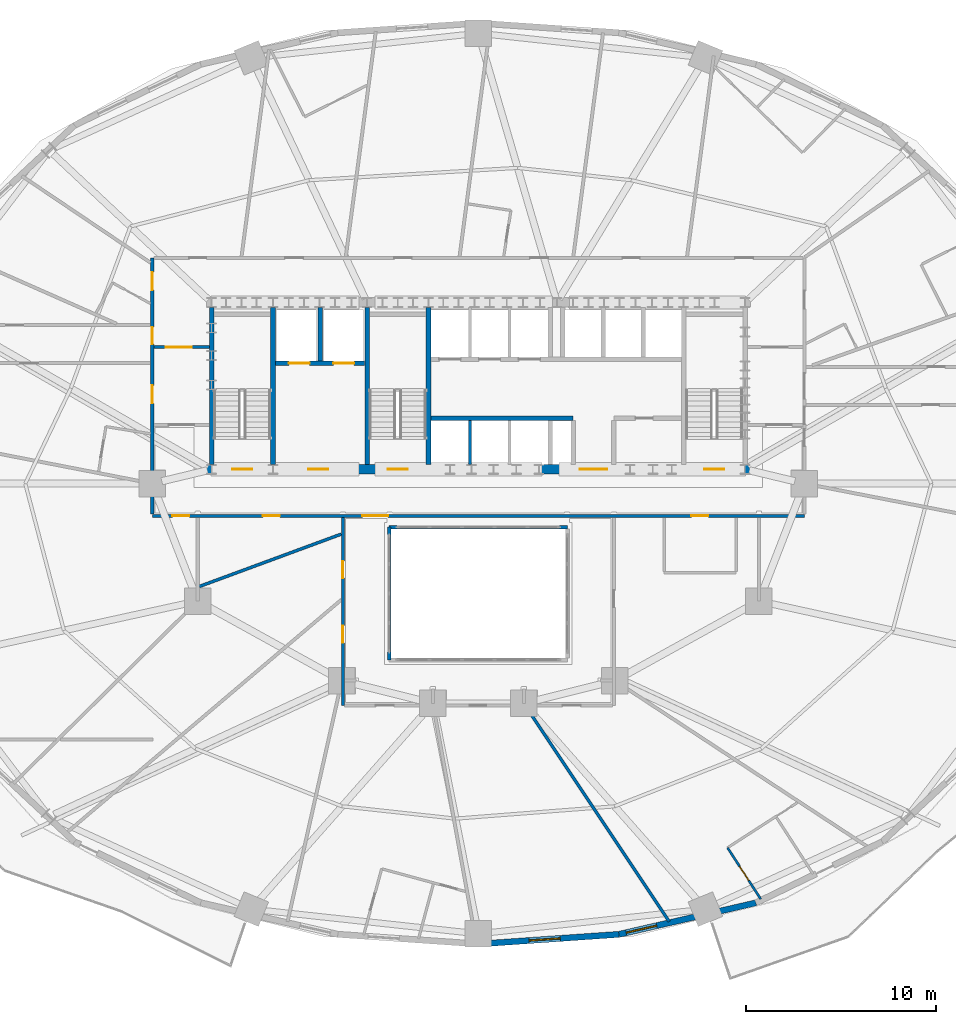
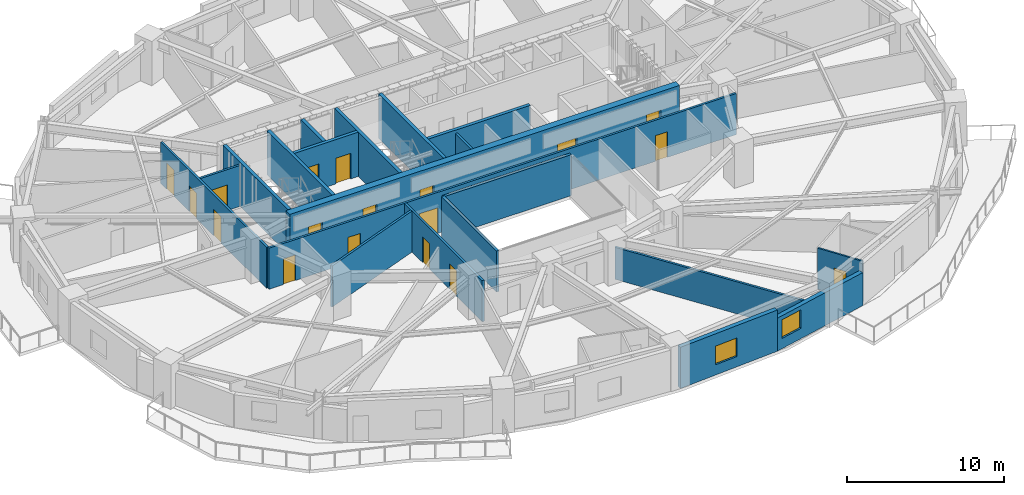
# One storey, part 10 of 17: 20 walls, 18 doors, 2 windows, 20 openings.
"""IFC4 building model written with IfcOpenShell, lengths in metres."""

from ifc_helpers import new_model, si_unit, direction, frame, frame_2d, origin, place, context, subcontext, project, spatial, rectangle, extrude, material, layer, layer_set, type_object, element, fill, save


model = new_model("IFC4")

# Units and contexts
model_context = context("Model", 3, precision=1e-05, world=origin(), true_north=direction((0.0, 1.0)))
body_context = subcontext(model_context, "Body", "Model", "MODEL_VIEW")
ifc_project = project(units=[si_unit("LENGTHUNIT", "METRE"), si_unit("AREAUNIT", "SQUARE_METRE"), si_unit("VOLUMEUNIT", "CUBIC_METRE"), si_unit("PLANEANGLEUNIT", "RADIAN"), si_unit("MASSUNIT", "GRAM", prefix="KILO")], contexts=[model_context])

# Site, building, storey
site_placement = place(None, origin())
site = spatial("IfcSite", under=ifc_project, at=site_placement, CompositionType="ELEMENT")
building_placement = place(site_placement, origin())
building = spatial("IfcBuilding", under=site, at=building_placement, Name="Haldorwick Loom Tower", CompositionType="ELEMENT")
storey_placement = place(building_placement, frame((0.0, 0.0, 55.050048828125)))
storey = spatial("IfcBuildingStorey", under=building, at=storey_placement, Name="L14", CompositionType="ELEMENT", Elevation=55.050048828125)

# Wall, opening, window
ifc_material_1 = material(Name="Pressed Clay Face Brick and Insulated Masonry Backup Assembly", Category="masonry")
ifc_layer_1 = layer(ifc_material_1, 0.320068359375, Name="Pressed Clay Face Brick and Insulated Masonry Backup Assembly", Category="masonry")
ifc_layer_set_1 = layer_set([ifc_layer_1], Name="Pressed Clay Face Brick and Insulated Masonry Backup Assembly")
wall_type_1 = type_object("IfcWallType", Name="ARC-WL-EXT320", PredefinedType="STANDARD", material=ifc_layer_set_1)
wall_1_placement = place(storey_placement, frame((36.0, 1.7099609375, 0.0), z_axis=(0.0, 0.0, 1.0), x_axis=(0.997645161917, 0.068586667092, 0.0)))
wall_1 = element("IfcWall", 1, at=wall_1_placement, inside=storey, type_object=wall_type_1, Name="L14 Brick Pier and Spandrel Wall 19", PredefinedType="STANDARD", context=body_context, shape_type="SweptSolid", body=[
    extrude(rectangle(XDim=7.428955078125, YDim=0.320068359375, at=frame_2d((3.71435546875, 0.0))), origin(), (0.0, 0.0, 1.0), 3.2099609375),
])
opening_1_placement = place(wall_1_placement, frame((2.679443359375, 0.0, 0.800048828125)))
opening_1 = element("IfcOpeningElement", 2, at=opening_1_placement, cuts=wall_1, Name="Opening W-01B", PredefinedType="OPENING", context=body_context, shape_type="SweptSolid", body=[
    extrude(rectangle(XDim=1.64990234375, YDim=1.449951171875, at=frame_2d((0.824951171875, 0.72509765625))), frame((0.0, 0.169921875, 0.0), z_axis=(0.0, -1.0, 0.0), x_axis=(1.0, 0.0, 0.0)), (0.0, 0.0, 1.0), 0.340087890625),
])
ifc_material_2 = material(Name="Triple-Glazed Low-E Argon Insulated Glazing Unit", Category="glass")
window_type = type_object("IfcWindowType", Name="ARC-WIN-W165", PartitioningType="SINGLE_PANEL", PredefinedType="WINDOW", material=ifc_material_2)
window_1_placement = place(opening_1_placement, origin())
window_1 = element("IfcWindow", 3, at=window_1_placement, inside=storey, type_object=window_type, Name="L14 Deep-Set Zone 7A Window 19", OverallHeight=1.449951171875, OverallWidth=1.64990234375, PartitioningType="SINGLE_PANEL", PredefinedType="WINDOW", context=body_context, shape_type="SweptSolid", body=[
    extrude(rectangle(XDim=1.64990234375, YDim=1.449951171875, at=frame_2d((0.824951171875, 0.72509765625))), frame((0.0, 0.030029296875, 0.0), z_axis=(0.0, -1.0, 0.0), x_axis=(1.0, 0.0, 0.0)), (0.0, 0.0, 1.0), 0.06005859375),
])
fill(opening_1, window_1)

wall_2_placement = place(storey_placement, frame((43.411376953125, 2.219482421875, 0.0), z_axis=(0.0, 0.0, 1.0), x_axis=(0.974522412345, 0.224290142088, 0.0)))
wall_2 = element("IfcWall", 4, at=wall_2_placement, inside=storey, type_object=wall_type_1, Name="L14 Brick Pier and Spandrel Wall 20", PredefinedType="STANDARD", context=body_context, shape_type="SweptSolid", body=[
    extrude(rectangle(XDim=7.422607421875, YDim=0.320068359375, at=frame_2d((3.71142578125, 0.0))), origin(), (0.0, 0.0, 1.0), 2.56884765625),
])
opening_2_placement = place(wall_2_placement, frame((0.39990234375, 0.0, 0.800048828125)))
opening_2 = element("IfcOpeningElement", 5, at=opening_2_placement, cuts=wall_2, Name="Opening W-01B", PredefinedType="OPENING", context=body_context, shape_type="SweptSolid", body=[
    extrude(rectangle(XDim=1.64990234375, YDim=1.449951171875, at=frame_2d((0.824951171875, 0.72509765625))), frame((0.0, 0.169921875, 0.0), z_axis=(0.0, -1.0, 0.0), x_axis=(1.0, 0.0, 0.0)), (0.0, 0.0, 1.0), 0.340087890625),
])
window_2_placement = place(opening_2_placement, origin())
window_2 = element("IfcWindow", 6, at=window_2_placement, inside=storey, type_object=window_type, Name="L14 Deep-Set Zone 7A Window 20", OverallHeight=1.449951171875, OverallWidth=1.64990234375, PartitioningType="SINGLE_PANEL", PredefinedType="WINDOW", context=body_context, shape_type="SweptSolid", body=[
    extrude(rectangle(XDim=1.64990234375, YDim=1.449951171875, at=frame_2d((0.824951171875, 0.72509765625))), frame((0.0, 0.030029296875, 0.0), z_axis=(0.0, -1.0, 0.0), x_axis=(1.0, 0.0, 0.0)), (0.0, 0.0, 1.0), 0.06005859375),
])
fill(opening_2, window_2)

# Wall, openings, doors
ifc_material_3 = material(Name="Fire-Rated Type X Gypsum Stud Assembly EI 60")
ifc_layer_2 = layer(ifc_material_3, 0.159912109375, Name="Fire-Rated Type X Gypsum Stud Assembly EI 60")
ifc_layer_set_2 = layer_set([ifc_layer_2], Name="Fire-Rated Type X Gypsum Stud Assembly EI 60")
wall_type_2 = type_object("IfcWallType", Name="ARC-WL-FIRE160", PredefinedType="PARTITIONING", material=ifc_layer_set_2)
wall_3_placement = place(storey_placement, frame((18.800048828125, 24.300048828125, 0.0), z_axis=(0.0, 0.0, 1.0), x_axis=(1.0, 0.0, 0.0)))
wall_3 = element("IfcWall", 7, at=wall_3_placement, inside=storey, type_object=wall_type_2, Name="L14 Residential Fire Partition L14-CR-SP", PredefinedType="PARTITIONING", context=body_context, shape_type="SweptSolid", body=[
    extrude(rectangle(XDim=34.39990234375, YDim=0.159912109375, at=frame_2d((17.199951171875, 0.0))), origin(), (0.0, 0.0, 1.0), 3.195068359375),
])
opening_3_placement = place(wall_3_placement, frame((11.085693359375, 0.0, 0.0)))
opening_3 = element("IfcOpeningElement", 8, at=opening_3_placement, cuts=wall_3, Name="Opening D-CR15", PredefinedType="OPENING", context=body_context, shape_type="SweptSolid", body=[
    extrude(rectangle(XDim=1.35009765625, YDim=2.0, at=frame_2d((0.675048828125, 1.0))), frame((0.0, 0.08984375, 0.0), z_axis=(0.0, -1.0, 0.0), x_axis=(1.0, 0.0, 0.0)), (0.0, 0.0, 1.0), 0.179931640625),
])
opening_4_placement = place(wall_3_placement, frame((5.834716796875, 0.0, 0.0)))
opening_4 = element("IfcOpeningElement", 9, at=opening_4_placement, cuts=wall_3, Name="Opening D-FD60A", PredefinedType="OPENING", context=body_context, shape_type="SweptSolid", body=[
    extrude(rectangle(XDim=0.89990234375, YDim=2.0, at=frame_2d((0.449951171875, 1.0))), frame((0.0, 0.08984375, 0.0), z_axis=(0.0, -1.0, 0.0), x_axis=(1.0, 0.0, 0.0)), (0.0, 0.0, 1.0), 0.179931640625),
])
opening_5_placement = place(wall_3_placement, frame((28.437255859375, 0.0, 0.0)))
opening_5 = element("IfcOpeningElement", 10, at=opening_5_placement, cuts=wall_3, Name="Opening D-FD60A", PredefinedType="OPENING", context=body_context, shape_type="SweptSolid", body=[
    extrude(rectangle(XDim=0.89990234375, YDim=2.0, at=frame_2d((0.449951171875, 1.0))), frame((0.0, 0.08984375, 0.0), z_axis=(0.0, -1.0, 0.0), x_axis=(1.0, 0.0, 0.0)), (0.0, 0.0, 1.0), 0.179931640625),
])
opening_6_placement = place(wall_3_placement, frame((1.063232421875, 0.0, 0.0)))
opening_6 = element("IfcOpeningElement", 11, at=opening_6_placement, cuts=wall_3, Name="Opening D-FD60A", PredefinedType="OPENING", context=body_context, shape_type="SweptSolid", body=[
    extrude(rectangle(XDim=0.89990234375, YDim=2.0, at=frame_2d((0.449951171875, 1.0))), frame((0.0, 0.08984375, 0.0), z_axis=(0.0, -1.0, 0.0), x_axis=(1.0, 0.0, 0.0)), (0.0, 0.0, 1.0), 0.179931640625),
])
ifc_material_4 = material(Name="Thermally Broken Anodized Aluminium and Tempered Glass", Category="aluminium")
door_type_1 = type_object("IfcDoorType", Name="ARC-DR-COR150", OperationType="NOTDEFINED", PredefinedType="DOOR", material=ifc_material_4)
door_1_placement = place(opening_3_placement, origin())
door_1 = element("IfcDoor", 12, at=door_1_placement, inside=storey, type_object=door_type_1, Name="L14 L14 Central Residential Corridor to L14 South Atrium Corridor Door", OperationType="DOUBLE_DOOR_SINGLE_SWING", OverallHeight=2.0, OverallWidth=1.35009765625, PredefinedType="DOOR", context=body_context, shape_type="SweptSolid", body=[
    extrude(rectangle(XDim=1.35009765625, YDim=2.0, at=frame_2d((0.675048828125, 1.0))), frame((0.0, 0.02490234375, 0.0), z_axis=(0.0, -1.0, 0.0), x_axis=(1.0, 0.0, 0.0)), (0.0, 0.0, 1.0), 0.050048828125),
])
fill(opening_3, door_1)
ifc_material_5 = material(Name="Hollow Steel Fire Door Assembly", Category="steel")
door_type_2 = type_object("IfcDoorType", Name="ARC-DR-FD60-90", OperationType="NOTDEFINED", PredefinedType="DOOR", material=ifc_material_5)
door_2_placement = place(opening_4_placement, origin())
door_2 = element("IfcDoor", 13, at=door_2_placement, inside=storey, type_object=door_type_2, Name="L14 L14 Central Residential Corridor to Shared Dining Hall 1 Door", OperationType="SINGLE_SWING_LEFT", OverallHeight=2.0, OverallWidth=0.89990234375, PredefinedType="DOOR", context=body_context, shape_type="SweptSolid", body=[
    extrude(rectangle(XDim=0.89990234375, YDim=2.0, at=frame_2d((0.449951171875, 1.0))), frame((0.0, 0.02490234375, 0.0), z_axis=(0.0, -1.0, 0.0), x_axis=(1.0, 0.0, 0.0)), (0.0, 0.0, 1.0), 0.050048828125),
])
fill(opening_4, door_2)
door_3_placement = place(opening_5_placement, origin())
door_3 = element("IfcDoor", 14, at=door_3_placement, inside=storey, type_object=door_type_2, Name="L14 L14 Central Residential Corridor to Common Accessible WC Door", OperationType="SINGLE_SWING_RIGHT", OverallHeight=2.0, OverallWidth=0.89990234375, PredefinedType="DOOR", context=body_context, shape_type="SweptSolid", body=[
    extrude(rectangle(XDim=0.89990234375, YDim=2.0, at=frame_2d((0.449951171875, 1.0))), frame((0.0, 0.02490234375, 0.0), z_axis=(0.0, -1.0, 0.0), x_axis=(1.0, 0.0, 0.0)), (0.0, 0.0, 1.0), 0.050048828125),
])
fill(opening_5, door_3)
door_4_placement = place(opening_6_placement, origin())
door_4 = element("IfcDoor", 15, at=door_4_placement, inside=storey, type_object=door_type_2, Name="L14 L14 Central Residential Corridor to Co-Working Open Office 6 Door", OperationType="SINGLE_SWING_LEFT", OverallHeight=2.0, OverallWidth=0.89990234375, PredefinedType="DOOR", context=body_context, shape_type="SweptSolid", body=[
    extrude(rectangle(XDim=0.89990234375, YDim=2.0, at=frame_2d((0.449951171875, 1.0))), frame((0.0, 0.02490234375, 0.0), z_axis=(0.0, -1.0, 0.0), x_axis=(1.0, 0.0, 0.0)), (0.0, 0.0, 1.0), 0.050048828125),
])
fill(opening_6, door_4)

wall_4_placement = place(storey_placement, frame((18.800048828125, 24.383056640625, 0.0), z_axis=(0.0, 0.0, 1.0), x_axis=(0.0, 1.0, 0.0)))
wall_4 = element("IfcWall", 16, at=wall_4_placement, inside=storey, type_object=wall_type_2, Name="L14 Residential Fire Partition L14-CR-W0", PredefinedType="PARTITIONING", context=body_context, shape_type="SweptSolid", body=[
    extrude(rectangle(XDim=13.516845703125, YDim=0.159912109375, at=frame_2d((6.75830078125, 0.0))), origin(), (0.0, 0.0, 1.0), 3.195068359375),
])
opening_7_placement = place(wall_4_placement, frame((8.967529296875, 0.0, 0.0)))
opening_7 = element("IfcOpeningElement", 17, at=opening_7_placement, cuts=wall_4, Name="Opening D-FD60A", PredefinedType="OPENING", context=body_context, shape_type="SweptSolid", body=[
    extrude(rectangle(XDim=0.89990234375, YDim=2.0, at=frame_2d((0.449951171875, 1.0))), frame((0.0, 0.08984375, 0.0), z_axis=(0.0, -1.0, 0.0), x_axis=(1.0, 0.0, 0.0)), (0.0, 0.0, 1.0), 0.179931640625),
])
opening_8_placement = place(wall_4_placement, frame((5.84033203125, 0.0, 0.0)))
opening_8 = element("IfcOpeningElement", 18, at=opening_8_placement, cuts=wall_4, Name="Opening D-FL95", PredefinedType="OPENING", context=body_context, shape_type="SweptSolid", body=[
    extrude(rectangle(XDim=0.949951171875, YDim=2.0400390625, at=frame_2d((0.47509765625, 1.02001953125))), frame((0.0, 0.08984375, 0.0), z_axis=(0.0, -1.0, 0.0), x_axis=(1.0, 0.0, 0.0)), (0.0, 0.0, 1.0), 0.179931640625),
])
opening_9_placement = place(wall_4_placement, frame((11.8232421875, 0.0, 0.0)))
opening_9 = element("IfcOpeningElement", 19, at=opening_9_placement, cuts=wall_4, Name="Opening D-FL95", PredefinedType="OPENING", context=body_context, shape_type="SweptSolid", body=[
    extrude(rectangle(XDim=0.949951171875, YDim=2.0400390625, at=frame_2d((0.47509765625, 1.02001953125))), frame((0.0, 0.08984375, 0.0), z_axis=(0.0, -1.0, 0.0), x_axis=(1.0, 0.0, 0.0)), (0.0, 0.0, 1.0), 0.179931640625),
])
door_5_placement = place(opening_7_placement, origin())
door_5 = element("IfcDoor", 20, at=door_5_placement, inside=storey, type_object=door_type_2, Name="L14 L14 West Daylight Corridor to L14 North Residential Corridor Door", OperationType="SINGLE_SWING_LEFT", OverallHeight=2.0, OverallWidth=0.89990234375, PredefinedType="DOOR", context=body_context, shape_type="SweptSolid", body=[
    extrude(rectangle(XDim=0.89990234375, YDim=2.0, at=frame_2d((0.449951171875, 1.0))), frame((0.0, 0.02490234375, 0.0), z_axis=(0.0, -1.0, 0.0), x_axis=(1.0, 0.0, 0.0)), (0.0, 0.0, 1.0), 0.050048828125),
])
fill(opening_7, door_5)
ifc_material_6 = material(Name="Solid Core Birch Architectural Door")
door_type_3 = type_object("IfcDoorType", Name="ARC-DR-FLAT95", OperationType="NOTDEFINED", PredefinedType="DOOR", material=ifc_material_6)
door_6_placement = place(opening_8_placement, frame((0.949951171875, 0.0, 0.0), z_axis=(0.0, 0.0, 1.0), x_axis=(-1.0, 0.0, 0.0)))
door_6 = element("IfcDoor", 21, at=door_6_placement, inside=storey, type_object=door_type_3, Name="L14 Unit 14D Kitchen and Studio Living Room to L14 West Residential Corr", OperationType="SINGLE_SWING_LEFT", OverallHeight=2.0400390625, OverallWidth=0.949951171875, PredefinedType="DOOR", context=body_context, shape_type="SweptSolid", body=[
    extrude(rectangle(XDim=0.949951171875, YDim=2.0400390625, at=frame_2d((0.47509765625, 1.02001953125))), frame((0.0, 0.02490234375, 0.0), z_axis=(0.0, -1.0, 0.0), x_axis=(1.0, 0.0, 0.0)), (0.0, 0.0, 1.0), 0.050048828125),
])
fill(opening_8, door_6)
door_7_placement = place(opening_9_placement, frame((0.949951171875, 0.0, 0.0), z_axis=(0.0, 0.0, 1.0), x_axis=(-1.0, 0.0, 0.0)))
door_7 = element("IfcDoor", 22, at=door_7_placement, inside=storey, type_object=door_type_3, Name="L14 Unit 14L Kitchen and Studio Living Room to L14 North Residential Cor", OperationType="SINGLE_SWING_RIGHT", OverallHeight=2.0400390625, OverallWidth=0.949951171875, PredefinedType="DOOR", context=body_context, shape_type="SweptSolid", body=[
    extrude(rectangle(XDim=0.949951171875, YDim=2.0400390625, at=frame_2d((0.47509765625, 1.02001953125))), frame((0.0, 0.02490234375, 0.0), z_axis=(0.0, -1.0, 0.0), x_axis=(1.0, 0.0, 0.0)), (0.0, 0.0, 1.0), 0.050048828125),
])
fill(opening_9, door_7)

# Wall, opening, door
wall_5_placement = place(storey_placement, frame((18.883056640625, 33.199951171875, 0.0), z_axis=(0.0, 0.0, 1.0), x_axis=(1.0, 0.0, 0.0)))
wall_5 = element("IfcWall", 23, at=wall_5_placement, inside=storey, type_object=wall_type_2, Name="L14 Residential Fire Partition L14-CR-WNJ", PredefinedType="PARTITIONING", context=body_context, shape_type="SweptSolid", body=[
    extrude(rectangle(XDim=2.923828125, YDim=0.159912109375, at=frame_2d((1.4619140625, 0.0))), origin(), (0.0, 0.0, 1.0), 3.195068359375),
])
opening_10_placement = place(wall_5_placement, frame((0.637939453125, 0.0, 0.0)))
opening_10 = element("IfcOpeningElement", 24, at=opening_10_placement, cuts=wall_5, Name="Opening D-CR15", PredefinedType="OPENING", context=body_context, shape_type="SweptSolid", body=[
    extrude(rectangle(XDim=1.35009765625, YDim=2.0, at=frame_2d((0.675048828125, 1.0))), frame((0.0, 0.08984375, 0.0), z_axis=(0.0, -1.0, 0.0), x_axis=(1.0, 0.0, 0.0)), (0.0, 0.0, 1.0), 0.179931640625),
])
door_8_placement = place(opening_10_placement, origin())
door_8 = element("IfcDoor", 25, at=door_8_placement, inside=storey, type_object=door_type_1, Name="L14 L14 North Residential Corridor to L14 West Residential Corridor Door", OperationType="DOUBLE_DOOR_SINGLE_SWING", OverallHeight=2.0, OverallWidth=1.35009765625, PredefinedType="DOOR", context=body_context, shape_type="SweptSolid", body=[
    extrude(rectangle(XDim=1.35009765625, YDim=2.0, at=frame_2d((0.675048828125, 1.0))), frame((0.0, 0.02490234375, 0.0), z_axis=(0.0, -1.0, 0.0), x_axis=(1.0, 0.0, 0.0)), (0.0, 0.0, 1.0), 0.050048828125),
])
fill(opening_10, door_8)

# Wall, openings, doors
wall_6_placement = place(storey_placement, frame((28.85009765625, 14.300048828125, 0.0), z_axis=(0.0, 0.0, 1.0), x_axis=(0.0, 1.0, 0.0)))
wall_6 = element("IfcWall", 26, at=wall_6_placement, inside=storey, type_object=wall_type_2, Name="L14 Residential Fire Partition L14-CR-AW", PredefinedType="PARTITIONING", context=body_context, shape_type="SweptSolid", body=[
    extrude(rectangle(XDim=9.9169921875, YDim=0.159912109375, at=frame_2d((4.95849609375, 0.0))), origin(), (0.0, 0.0, 1.0), 3.195068359375),
])
opening_11_placement = place(wall_6_placement, frame((3.30029296875, 0.0, 0.0)))
opening_11 = element("IfcOpeningElement", 27, at=opening_11_placement, cuts=wall_6, Name="Opening D-FD60A", PredefinedType="OPENING", context=body_context, shape_type="SweptSolid", body=[
    extrude(rectangle(XDim=0.89990234375, YDim=2.0, at=frame_2d((0.449951171875, 1.0))), frame((0.0, 0.08984375, 0.0), z_axis=(0.0, -1.0, 0.0), x_axis=(1.0, 0.0, 0.0)), (0.0, 0.0, 1.0), 0.179931640625),
])
opening_12_placement = place(wall_6_placement, frame((6.71240234375, 0.0, 0.0)))
opening_12 = element("IfcOpeningElement", 28, at=opening_12_placement, cuts=wall_6, Name="Opening D-FD60A", PredefinedType="OPENING", context=body_context, shape_type="SweptSolid", body=[
    extrude(rectangle(XDim=0.89990234375, YDim=2.0, at=frame_2d((0.449951171875, 1.0))), frame((0.0, 0.08984375, 0.0), z_axis=(0.0, -1.0, 0.0), x_axis=(1.0, 0.0, 0.0)), (0.0, 0.0, 1.0), 0.179931640625),
])
door_9_placement = place(opening_11_placement, frame((0.89990234375, 0.0, 0.0), z_axis=(0.0, 0.0, 1.0), x_axis=(-1.0, 0.0, 0.0)))
door_9 = element("IfcDoor", 29, at=door_9_placement, inside=storey, type_object=door_type_2, Name="L14 Co-Working Open Office 14 to L14 South Atrium Corridor Door", OperationType="SINGLE_SWING_RIGHT", OverallHeight=2.0, OverallWidth=0.89990234375, PredefinedType="DOOR", context=body_context, shape_type="SweptSolid", body=[
    extrude(rectangle(XDim=0.89990234375, YDim=2.0, at=frame_2d((0.449951171875, 1.0))), frame((0.0, 0.02490234375, 0.0), z_axis=(0.0, -1.0, 0.0), x_axis=(1.0, 0.0, 0.0)), (0.0, 0.0, 1.0), 0.050048828125),
])
fill(opening_11, door_9)
door_10_placement = place(opening_12_placement, frame((0.89990234375, 0.0, 0.0), z_axis=(0.0, 0.0, 1.0), x_axis=(-1.0, 0.0, 0.0)))
door_10 = element("IfcDoor", 30, at=door_10_placement, inside=storey, type_object=door_type_2, Name="L14 Co-Working Open Office 9 to L14 South Atrium Corridor Door", OperationType="SINGLE_SWING_RIGHT", OverallHeight=2.0, OverallWidth=0.89990234375, PredefinedType="DOOR", context=body_context, shape_type="SweptSolid", body=[
    extrude(rectangle(XDim=0.89990234375, YDim=2.0, at=frame_2d((0.449951171875, 1.0))), frame((0.0, 0.02490234375, 0.0), z_axis=(0.0, -1.0, 0.0), x_axis=(1.0, 0.0, 0.0)), (0.0, 0.0, 1.0), 0.050048828125),
])
fill(opening_12, door_10)

# Walls
wall_7_placement = place(storey_placement, frame((38.52197265625, 14.217041015625, 0.0), z_axis=(0.0, 0.0, 1.0), x_axis=(0.55469605481, -0.832053055266, 0.0)))
element("IfcWall", 31, at=wall_7_placement, inside=storey, type_object=wall_type_2, Name="L14 Residential Fire Partition L14-ICR-06", PredefinedType="PARTITIONING", context=body_context, shape_type="SweptSolid", body=[
    extrude(rectangle(XDim=13.60400390625, YDim=0.159912109375, at=frame_2d((6.802001953125, 0.0))), origin(), (0.0, 0.0, 1.0), 2.489990234375),
])
wall_8_placement = place(storey_placement, frame((28.76708984375, 23.3310546875, 0.0), z_axis=(0.0, 0.0, 1.0), x_axis=(-0.938173710474, -0.346164829201, 0.0)))
element("IfcWall", 32, at=wall_8_placement, inside=storey, type_object=wall_type_2, Name="L14 Suite Split Wall", PredefinedType="PARTITIONING", context=body_context, shape_type="SweptSolid", body=[
    extrude(rectangle(XDim=7.977294921875, YDim=0.159912109375, at=frame_2d((3.98876953125, 0.0))), origin(), (0.0, 0.0, 1.0), 3.195068359375),
])
ifc_material_7 = material(Name="Fire-Rated Type X Gypsum Stud Assembly EI 120")
ifc_layer_3 = layer(ifc_material_7, 0.199951171875, Name="Fire-Rated Type X Gypsum Stud Assembly EI 120")
ifc_layer_set_3 = layer_set([ifc_layer_3], Name="Fire-Rated Type X Gypsum Stud Assembly EI 120")
wall_type_3 = type_object("IfcWallType", Name="ARC-WL-FIRE200", PredefinedType="PARTITIONING", material=ifc_layer_set_3)
wall_9_placement = place(storey_placement, frame((31.300048828125, 23.699951171875, 0.0), z_axis=(0.0, 0.0, 1.0), x_axis=(1.0, 0.0, 0.0)))
element("IfcWall", 33, at=wall_9_placement, inside=storey, type_object=wall_type_3, Name="L14 Atrium Fire Enclosure Wall N", PredefinedType="PARTITIONING", context=body_context, shape_type="SweptSolid", body=[
    extrude(rectangle(XDim=9.39990234375, YDim=0.199951171875, at=frame_2d((4.699951171875, 0.0))), origin(), (0.0, 0.0, 1.0), 3.195068359375),
])
wall_10_placement = place(storey_placement, frame((31.300048828125, 16.699951171875, 0.0), z_axis=(0.0, 0.0, 1.0), x_axis=(0.0, 1.0, 0.0)))
element("IfcWall", 34, at=wall_10_placement, inside=storey, type_object=wall_type_3, Name="L14 Atrium Fire Enclosure Wall W", PredefinedType="PARTITIONING", context=body_context, shape_type="SweptSolid", body=[
    extrude(rectangle(XDim=7.0, YDim=0.199951171875, at=frame_2d((3.5, 0.0))), origin(), (0.0, 0.0, 1.0), 3.195068359375),
])

# Wall, opening, door
ifc_material_8 = material(Name="Acoustic Gypsum Stud Assembly STC 55")
ifc_layer_4 = layer(ifc_material_8, 0.1201171875, Name="Acoustic Gypsum Stud Assembly STC 55")
ifc_layer_set_4 = layer_set([ifc_layer_4], Name="Acoustic Gypsum Stud Assembly STC 55")
wall_type_4 = type_object("IfcWallType", Name="ARC-WL-PART120", PredefinedType="PARTITIONING", material=ifc_layer_set_4)
wall_11_placement = place(storey_placement, frame((49.145263671875, 6.7900390625, 0.0), z_axis=(0.0, 0.0, 1.0), x_axis=(0.542705536081, -0.839923032847, 0.0)))
wall_11 = element("IfcWall", 35, at=wall_11_placement, inside=storey, type_object=wall_type_4, Name="L14 Unit 14C Interior Partition", PredefinedType="PARTITIONING", context=body_context, shape_type="SweptSolid", body=[
    extrude(rectangle(XDim=3.228271484375, YDim=0.1201171875, at=frame_2d((1.6142578125, 0.0))), origin(), (0.0, 0.0, 1.0), 3.195068359375),
])
opening_13_placement = place(wall_11_placement, frame((1.174072265625, 0.0, 0.0)))
opening_13 = element("IfcOpeningElement", 36, at=opening_13_placement, cuts=wall_11, Name="Opening D-BT88", PredefinedType="OPENING", context=body_context, shape_type="SweptSolid", body=[
    extrude(rectangle(XDim=0.8798828125, YDim=2.02001953125, at=frame_2d((0.43994140625, 1.010009765625))), frame((0.0, 0.070068359375, 0.0), z_axis=(0.0, -1.0, 0.0), x_axis=(1.0, 0.0, 0.0)), (0.0, 0.0, 1.0), 0.14013671875),
])
door_type_4 = type_object("IfcDoorType", Name="ARC-DR-BATH88", OperationType="NOTDEFINED", PredefinedType="DOOR", material=ifc_material_6)
door_11_placement = place(opening_13_placement, origin())
door_11 = element("IfcDoor", 37, at=door_11_placement, inside=storey, type_object=door_type_4, Name="L14 Unit 14C Bathroom to Unit 14C Kitchen and Living Room Door", OperationType="SINGLE_SWING_RIGHT", OverallHeight=2.02001953125, OverallWidth=0.8798828125, PredefinedType="DOOR", context=body_context, shape_type="SweptSolid", body=[
    extrude(rectangle(XDim=0.8798828125, YDim=2.02001953125, at=frame_2d((0.43994140625, 1.010009765625))), frame((0.0, 0.02490234375, 0.0), z_axis=(0.0, -1.0, 0.0), x_axis=(1.0, 0.0, 0.0)), (0.0, 0.0, 1.0), 0.050048828125),
])
fill(opening_13, door_11)

# Wall
ifc_layer_5 = layer(ifc_material_7, 0.1650390625, Name="Fire-Rated Type X Gypsum Stud Assembly EI 120")
ifc_layer_set_5 = layer_set([ifc_layer_5], Name="Fire-Rated Type X Gypsum Stud Assembly EI 120")
wall_type_5 = type_object("IfcWallType", Name="ARC-WL-SHAFT160", PredefinedType="MOVABLE", material=ifc_layer_set_5)
wall_12_placement = place(storey_placement, frame((35.550048828125, 27.0029296875, 0.0), z_axis=(0.0, 0.0, 1.0), x_axis=(0.0, 1.0, 0.0)))
element("IfcWall", 38, at=wall_12_placement, inside=storey, type_object=wall_type_5, Name="L14 Mid-Rise Hoistway Divider 1", PredefinedType="MOVABLE", context=body_context, shape_type="SweptSolid", body=[
    extrude(rectangle(XDim=2.323974609375, YDim=0.159912109375, at=frame_2d((1.162109375, 0.0))), origin(), (0.0, 0.0, 1.0), 3.195068359375),
])

# Wall, openings, doors
ifc_material_9 = material(Name="Concrete C60 (60 MPa)", Category="concrete")
ifc_layer_6 = layer(ifc_material_9, 0.5, Name="Concrete C60 (60 MPa)", Category="concrete")
ifc_layer_set_6 = layer_set([ifc_layer_6], Name="Concrete C60 (60 MPa)")
wall_type_6 = type_object("IfcWallType", Name="STR-WL-CORE500", PredefinedType="SHEAR", material=ifc_layer_set_6)
wall_13_placement = place(storey_placement, frame((21.64990234375, 26.75, 0.0), z_axis=(0.0, 0.0, 1.0), x_axis=(1.0, 0.0, 0.0)))
wall_13 = element("IfcWall", 39, at=wall_13_placement, inside=storey, type_object=wall_type_6, Name="L14 Core Shear Wall S", PredefinedType="SHEAR", context=body_context, shape_type="SweptSolid", body=[
    extrude(rectangle(XDim=28.7001953125, YDim=0.5, at=frame_2d((14.35009765625, 0.0))), origin(), (0.0, 0.0, 1.0), 3.449951171875),
])
opening_14_placement = place(wall_13_placement, frame((1.375, 0.0, 0.0)))
opening_14 = element("IfcOpeningElement", 40, at=opening_14_placement, cuts=wall_13, Name="Opening D-FD60", PredefinedType="OPENING", context=body_context, shape_type="SweptSolid", body=[
    extrude(rectangle(XDim=1.050048828125, YDim=2.0, at=frame_2d((0.52490234375, 1.0))), frame((0.0, 0.260009765625, 0.0), z_axis=(0.0, -1.0, 0.0), x_axis=(1.0, 0.0, 0.0)), (0.0, 0.0, 1.0), 0.52001953125),
])
opening_15_placement = place(wall_13_placement, frame((5.375, 0.0, 0.0)))
opening_15 = element("IfcOpeningElement", 41, at=opening_15_placement, cuts=wall_13, Name="Opening D-FD60", PredefinedType="OPENING", context=body_context, shape_type="SweptSolid", body=[
    extrude(rectangle(XDim=1.050048828125, YDim=2.0, at=frame_2d((0.52490234375, 1.0))), frame((0.0, 0.260009765625, 0.0), z_axis=(0.0, -1.0, 0.0), x_axis=(1.0, 0.0, 0.0)), (0.0, 0.0, 1.0), 0.52001953125),
])
opening_16_placement = place(wall_13_placement, frame((9.574951171875, 0.0, 0.0)))
opening_16 = element("IfcOpeningElement", 42, at=opening_16_placement, cuts=wall_13, Name="Opening D-FD60", PredefinedType="OPENING", context=body_context, shape_type="SweptSolid", body=[
    extrude(rectangle(XDim=1.050048828125, YDim=2.0, at=frame_2d((0.52490234375, 1.0))), frame((0.0, 0.260009765625, 0.0), z_axis=(0.0, -1.0, 0.0), x_axis=(1.0, 0.0, 0.0)), (0.0, 0.0, 1.0), 0.52001953125),
])
opening_17_placement = place(wall_13_placement, frame((19.705078125, 0.0, 0.0)))
opening_17 = element("IfcOpeningElement", 43, at=opening_17_placement, cuts=wall_13, Name="Opening D-LB15", PredefinedType="OPENING", context=body_context, shape_type="SweptSolid", body=[
    extrude(rectangle(XDim=1.449951171875, YDim=2.0, at=frame_2d((0.72509765625, 1.0))), frame((0.0, 0.260009765625, 0.0), z_axis=(0.0, -1.0, 0.0), x_axis=(1.0, 0.0, 0.0)), (0.0, 0.0, 1.0), 0.52001953125),
])
opening_18_placement = place(wall_13_placement, frame((26.27490234375, 0.0, 0.0)))
opening_18 = element("IfcOpeningElement", 44, at=opening_18_placement, cuts=wall_13, Name="Opening D-FD60", PredefinedType="OPENING", context=body_context, shape_type="SweptSolid", body=[
    extrude(rectangle(XDim=1.050048828125, YDim=2.0, at=frame_2d((0.52490234375, 1.0))), frame((0.0, 0.260009765625, 0.0), z_axis=(0.0, -1.0, 0.0), x_axis=(1.0, 0.0, 0.0)), (0.0, 0.0, 1.0), 0.52001953125),
])
door_type_5 = type_object("IfcDoorType", Name="ARC-DR-FD60", OperationType="NOTDEFINED", PredefinedType="DOOR", material=ifc_material_5)
door_12_placement = place(opening_14_placement, origin())
door_12 = element("IfcDoor", 45, at=door_12_placement, inside=storey, type_object=door_type_5, Name="L14 Exit Stair ST-01 Fire Door", OperationType="SINGLE_SWING_RIGHT", OverallHeight=2.0, OverallWidth=1.050048828125, PredefinedType="DOOR", context=body_context, shape_type="SweptSolid", body=[
    extrude(rectangle(XDim=1.050048828125, YDim=2.0, at=frame_2d((0.52490234375, 1.0))), frame((0.0, 0.02490234375, 0.0), z_axis=(0.0, -1.0, 0.0), x_axis=(1.0, 0.0, 0.0)), (0.0, 0.0, 1.0), 0.050048828125),
])
fill(opening_14, door_12)
door_13_placement = place(opening_15_placement, origin())
door_13 = element("IfcDoor", 46, at=door_13_placement, inside=storey, type_object=door_type_5, Name="L14 Firefighting Lift Lobby Fire Door", OperationType="SINGLE_SWING_LEFT", OverallHeight=2.0, OverallWidth=1.050048828125, PredefinedType="DOOR", context=body_context, shape_type="SweptSolid", body=[
    extrude(rectangle(XDim=1.050048828125, YDim=2.0, at=frame_2d((0.52490234375, 1.0))), frame((0.0, 0.02490234375, 0.0), z_axis=(0.0, -1.0, 0.0), x_axis=(1.0, 0.0, 0.0)), (0.0, 0.0, 1.0), 0.050048828125),
])
fill(opening_15, door_13)
door_14_placement = place(opening_16_placement, origin())
door_14 = element("IfcDoor", 47, at=door_14_placement, inside=storey, type_object=door_type_5, Name="L14 Exit Stair ST-03 Fire Door", OperationType="SINGLE_SWING_LEFT", OverallHeight=2.0, OverallWidth=1.050048828125, PredefinedType="DOOR", context=body_context, shape_type="SweptSolid", body=[
    extrude(rectangle(XDim=1.050048828125, YDim=2.0, at=frame_2d((0.52490234375, 1.0))), frame((0.0, 0.02490234375, 0.0), z_axis=(0.0, -1.0, 0.0), x_axis=(1.0, 0.0, 0.0)), (0.0, 0.0, 1.0), 0.050048828125),
])
fill(opening_16, door_14)
door_15_placement = place(opening_18_placement, origin())
door_15 = element("IfcDoor", 48, at=door_15_placement, inside=storey, type_object=door_type_5, Name="L14 Exit Stair ST-02 Fire Door", OperationType="SINGLE_SWING_LEFT", OverallHeight=2.0, OverallWidth=1.050048828125, PredefinedType="DOOR", context=body_context, shape_type="SweptSolid", body=[
    extrude(rectangle(XDim=1.050048828125, YDim=2.0, at=frame_2d((0.52490234375, 1.0))), frame((0.0, 0.02490234375, 0.0), z_axis=(0.0, -1.0, 0.0), x_axis=(1.0, 0.0, 0.0)), (0.0, 0.0, 1.0), 0.050048828125),
])
fill(opening_18, door_15)
door_type_6 = type_object("IfcDoorType", Name="ARC-DR-LOB150", OperationType="NOTDEFINED", PredefinedType="DOOR", material=ifc_material_4)
door_16_placement = place(opening_17_placement, frame((1.449951171875, 0.0, 0.0), z_axis=(0.0, 0.0, 1.0), x_axis=(-1.0, 0.0, 0.0)))
door_16 = element("IfcDoor", 49, at=door_16_placement, inside=storey, type_object=door_type_6, Name="L14 Passenger Lift Lobby Fire Door", OperationType="DOUBLE_DOOR_SINGLE_SWING", OverallHeight=2.0, OverallWidth=1.449951171875, PredefinedType="DOOR", context=body_context, shape_type="SweptSolid", body=[
    extrude(rectangle(XDim=1.449951171875, YDim=2.0, at=frame_2d((0.72509765625, 1.0))), frame((0.0, 0.02490234375, 0.0), z_axis=(0.0, -1.0, 0.0), x_axis=(1.0, 0.0, 0.0)), (0.0, 0.0, 1.0), 0.050048828125),
])
fill(opening_17, door_16)

# Walls
ifc_material_10 = material(Name="Concrete C50 (50 MPa)", Category="concrete")
ifc_layer_7 = layer(ifc_material_10, 0.239990234375, Name="Concrete C50 (50 MPa)", Category="concrete")
ifc_layer_set_7 = layer_set([ifc_layer_7], Name="Concrete C50 (50 MPa)")
wall_type_7 = type_object("IfcWallType", Name="STR-WL-SHAFT240", PredefinedType="SHEAR", material=ifc_layer_set_7)
for number, where, z_axis, x_axis, name in (
    (50, (21.929931640625, 35.297119140625, 0.0), (0.0, 0.0, 1.0), (0.0, -1.0, 0.0), "L14 Core Shear Wall W"),
    (51, (25.169921875, 27.0029296875, 0.0), (0.0, 0.0, 1.0), (0.0, 1.0, 0.0), "L14 Core Shear Wall 1"),
    (52, (30.1298828125, 27.0029296875, 0.0), (0.0, 0.0, 1.0), (0.0, 1.0, 0.0), "L14 Core Shear Wall 2"),
    (53, (33.3701171875, 27.0029296875, 0.0), (0.0, 0.0, 1.0), (0.0, 1.0, 0.0), "L14 Core Shear Wall 3"),
):
    element("IfcWall", number, at=place(storey_placement, frame(where, z_axis=z_axis, x_axis=x_axis)), inside=storey, type_object=wall_type_7, Name=name, PredefinedType="SHEAR", context=body_context, shape_type="SweptSolid", body=[
        extrude(rectangle(XDim=8.294189453125, YDim=0.239990234375, at=frame_2d((4.14697265625, 0.0))), origin(), (0.0, 0.0, 1.0), 3.449951171875),
    ])

# Wall, openings, doors
wall_14_placement = place(storey_placement, frame((25.29296875, 32.35009765625, 0.0), z_axis=(0.0, 0.0, 1.0), x_axis=(1.0, 0.0, 0.0)))
wall_14 = element("IfcWall", 54, at=wall_14_placement, inside=storey, type_object=wall_type_7, Name="L14 Core Shear Wall FF", PredefinedType="SHEAR", context=body_context, shape_type="SweptSolid", body=[
    extrude(rectangle(XDim=4.714111328125, YDim=0.239990234375, at=frame_2d((2.35693359375, 0.0))), origin(), (0.0, 0.0, 1.0), 3.449951171875),
])
opening_19_placement = place(wall_14_placement, frame((0.70703125, 0.0, 0.0)))
opening_19 = element("IfcOpeningElement", 55, at=opening_19_placement, cuts=wall_14, Name="Opening LD-FF1", PredefinedType="OPENING", context=body_context, shape_type="SweptSolid", body=[
    extrude(rectangle(XDim=1.10009765625, YDim=2.0, at=frame_2d((0.550048828125, 1.0))), frame((0.0, 0.1298828125, 0.0), z_axis=(0.0, -1.0, 0.0), x_axis=(1.0, 0.0, 0.0)), (0.0, 0.0, 1.0), 0.260009765625),
])
opening_20_placement = place(wall_14_placement, frame((3.056884765625, 0.0, 0.0)))
opening_20 = element("IfcOpeningElement", 56, at=opening_20_placement, cuts=wall_14, Name="Opening LD-FF2", PredefinedType="OPENING", context=body_context, shape_type="SweptSolid", body=[
    extrude(rectangle(XDim=1.10009765625, YDim=2.0, at=frame_2d((0.550048828125, 1.0))), frame((0.0, 0.1298828125, 0.0), z_axis=(0.0, -1.0, 0.0), x_axis=(1.0, 0.0, 0.0)), (0.0, 0.0, 1.0), 0.260009765625),
])
door_type_7 = type_object("IfcDoorType", Name="ARC-DR-LD-FF", OperationType="NOTDEFINED", PredefinedType="USERDEFINED", material=ifc_material_5)
door_17_placement = place(opening_19_placement, origin())
door_17 = element("IfcDoor", 57, at=door_17_placement, inside=storey, type_object=door_type_7, Name="L14 Lift LF-FF1 Sliding Landing Door", ObjectType="LANDING DOOR", OperationType="DOUBLE_DOOR_SLIDING", OverallHeight=2.0, OverallWidth=1.10009765625, PredefinedType="USERDEFINED", context=body_context, shape_type="SweptSolid", body=[
    extrude(rectangle(XDim=1.10009765625, YDim=2.0, at=frame_2d((0.550048828125, 1.0))), frame((0.0, 0.02490234375, 0.0), z_axis=(0.0, -1.0, 0.0), x_axis=(1.0, 0.0, 0.0)), (0.0, 0.0, 1.0), 0.050048828125),
])
fill(opening_19, door_17)
door_18_placement = place(opening_20_placement, origin())
door_18 = element("IfcDoor", 58, at=door_18_placement, inside=storey, type_object=door_type_7, Name="L14 Lift LF-FF2 Sliding Landing Door", ObjectType="LANDING DOOR", OperationType="DOUBLE_DOOR_SLIDING", OverallHeight=2.0, OverallWidth=1.10009765625, PredefinedType="USERDEFINED", context=body_context, shape_type="SweptSolid", body=[
    extrude(rectangle(XDim=1.10009765625, YDim=2.0, at=frame_2d((0.550048828125, 1.0))), frame((0.0, 0.02490234375, 0.0), z_axis=(0.0, -1.0, 0.0), x_axis=(1.0, 0.0, 0.0)), (0.0, 0.0, 1.0), 0.050048828125),
])
fill(opening_20, door_18)

# Walls
wall_15_placement = place(storey_placement, frame((27.64990234375, 32.472900390625, 0.0), z_axis=(0.0, 0.0, 1.0), x_axis=(0.0, 1.0, 0.0)))
element("IfcWall", 59, at=wall_15_placement, inside=storey, type_object=wall_type_7, Name="L14 Core Shear Wall FFD", PredefinedType="SHEAR", context=body_context, shape_type="SweptSolid", body=[
    extrude(rectangle(XDim=2.82421875, YDim=0.239990234375, at=frame_2d((1.412109375, 0.0))), origin(), (0.0, 0.0, 1.0), 3.449951171875),
])
wall_16_placement = place(storey_placement, frame((33.492919921875, 29.449951171875, 0.0), z_axis=(0.0, 0.0, 1.0), x_axis=(1.0, 0.0, 0.0)))
element("IfcWall", 60, at=wall_16_placement, inside=storey, type_object=wall_type_7, Name="L14 Core Shear Wall LS1", PredefinedType="SHEAR", context=body_context, shape_type="SweptSolid", body=[
    extrude(rectangle(XDim=7.507080078125, YDim=0.239990234375, at=frame_2d((3.75341796875, 0.0))), origin(), (0.0, 0.0, 1.0), 3.449951171875),
])

save(model, "model.ifc")
